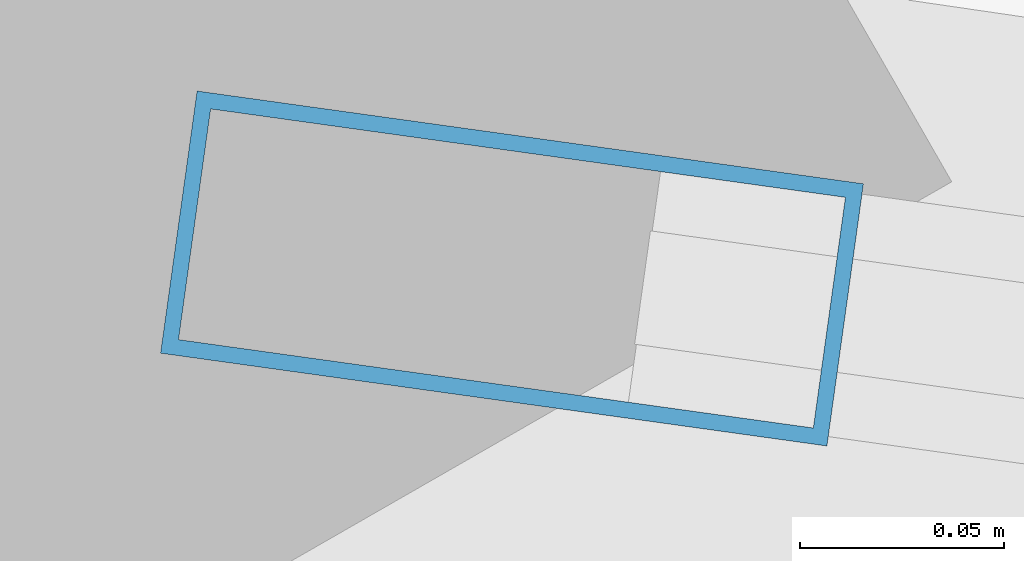
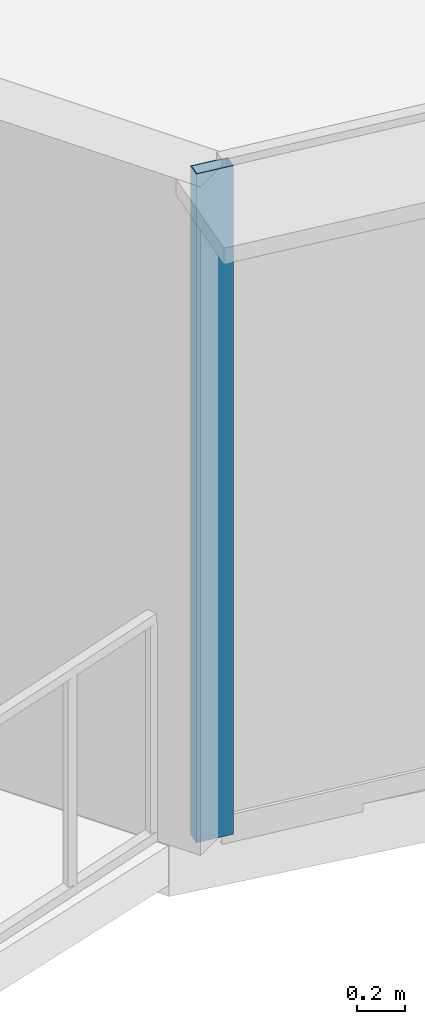
# One storey, part 2 of 37: 1 member, 1 element without a shape of its own.
"""IFC4 building model written with IfcOpenShell, lengths in metres."""

from ifc_helpers import new_model, si_unit, direction, frame, origin, origin_2d, place, context, subcontext, project, spatial, hollow_rectangle, extrude, source, transform, mapped, material, layer, layer_set, material_profile, profile_set, type_object, element, aggregate, save


model = new_model("IFC4")

# Units and contexts
model_context = context("Model", 3, precision=1e-05, world=origin(), true_north=direction((0.0, 1.0)))
body_context = subcontext(model_context, "Body", "Model", "MODEL_VIEW")
ifc_project = project(units=[si_unit("LENGTHUNIT", "METRE"), si_unit("AREAUNIT", "SQUARE_METRE"), si_unit("VOLUMEUNIT", "CUBIC_METRE"), si_unit("PLANEANGLEUNIT", "RADIAN"), si_unit("MASSUNIT", "GRAM", prefix="KILO"), si_unit("THERMODYNAMICTEMPERATUREUNIT", "KELVIN"), si_unit("POWERUNIT", "WATT")], contexts=[model_context])

# Site, building, storey
site_placement = place(None, origin())
site = spatial("IfcSite", under=ifc_project, at=site_placement, CompositionType="ELEMENT")
building_placement = place(site_placement, origin())
building = spatial("IfcBuilding", under=site, at=building_placement, Name="Yunzhuo Pagoda Commons", CompositionType="ELEMENT")
storey_placement = place(building_placement, frame((0.0, 0.0, 59.43994140625)))
storey = spatial("IfcBuildingStorey", under=building, at=storey_placement, Name="L15", CompositionType="ELEMENT", Elevation=59.43994140625)

# Curtain wall, member
ifc_material = material(Name="Anodized aluminium 6063-T6", Category="aluminium")
ifc_layer = layer(ifc_material, 0.1650390625)
ifc_layer_set = layer_set([ifc_layer], Name="Anodized aluminium 6063-T6")
curtain_wall_type = type_object("IfcCurtainWallType", Name="CW-LOW Low-Zone Ribbon Curtain Wall", PredefinedType="NOTDEFINED", material=ifc_layer_set)
curtain_wall_placement = place(storey_placement, origin())
curtain_wall = element("IfcCurtainWall", 1, at=curtain_wall_placement, inside=storey, type_object=curtain_wall_type, Name="L15 curtain wall CW-L15-F1B1", PredefinedType="NOTDEFINED")
ifc_material_profile = material_profile(ifc_material, hollow_rectangle(XDim=0.06494140625, YDim=0.1650390625, WallThickness=0.00390625, at=origin_2d()), Name="Anodized aluminium 6063-T6")
ifc_profile_set = profile_set([ifc_material_profile], Name="Anodized aluminium 6063-T6")
member_type = type_object("IfcMemberType", Name="CW-LOW-M Mullion RHS 165x65x4", PredefinedType="MULLION", material=ifc_profile_set)
shared_shape = source(origin(), body_context, "Body", "SweptSolid", [
    extrude(hollow_rectangle(XDim=0.06494140625, YDim=0.1650390625, WallThickness=0.00390625, at=origin_2d()), origin(), (0.0, 0.0, 1.0), 3.3701171875),
])
member_placement = place(storey_placement, frame((9.821044921875, 14.542236328125, 0.0), z_axis=(0.0, 0.0, 1.0), x_axis=(0.13790498569, 0.990445462871, 0.0)))
member = element("IfcMember", 2, at=member_placement, type_object=member_type, Name="CW mullion 1", PredefinedType="MULLION", context=body_context, shape_type="MappedRepresentation", body=[
    mapped(shared_shape, transform((0.0, 0.0, 0.0), scale=1.0)),
])
aggregate(curtain_wall, [member])

save(model, "model.ifc")
